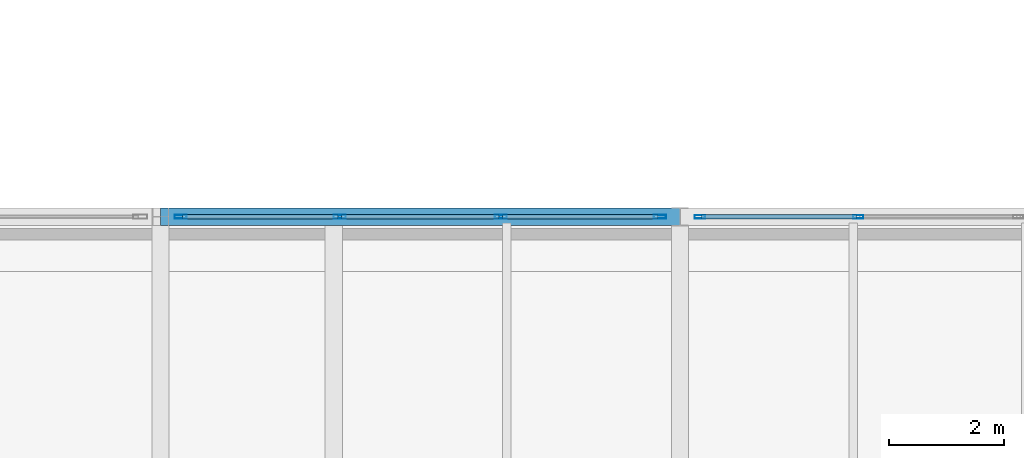
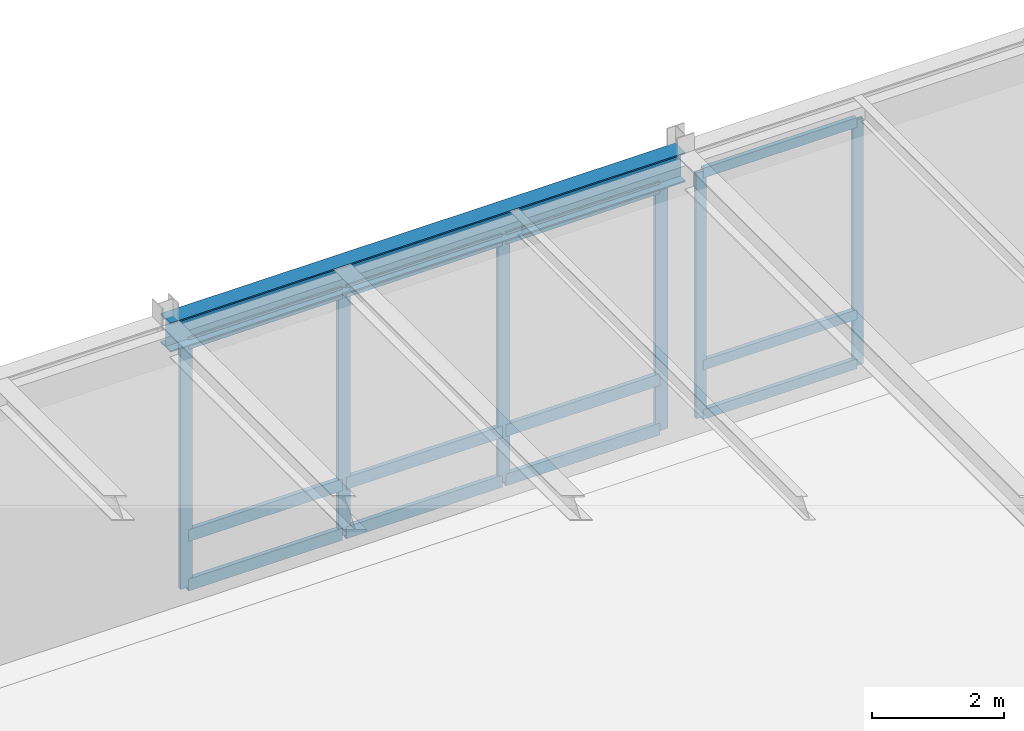
# One storey, part 86 of 143: 18 members, 1 beam, 2 elements without a shape of their own.
"""IFC4 building model written with IfcOpenShell, lengths in metres."""

from ifc_helpers import new_model, si_unit, direction, frame, origin, origin_2d, place, context, subcontext, project, spatial, hollow_rectangle, i_section, extrude, material, layer, layer_set, material_profile, profile_set, type_object, element, aggregate, save


model = new_model("IFC4")

# Units and contexts
model_context = context("Model", 3, precision=1e-05, world=origin(), true_north=direction((0.0, 1.0)))
body_context = subcontext(model_context, "Body", "Model", "MODEL_VIEW")
ifc_project = project(units=[si_unit("LENGTHUNIT", "METRE"), si_unit("AREAUNIT", "SQUARE_METRE"), si_unit("VOLUMEUNIT", "CUBIC_METRE"), si_unit("PLANEANGLEUNIT", "RADIAN"), si_unit("MASSUNIT", "GRAM", prefix="KILO")], contexts=[model_context])

# Site, building, storey
site_placement = place(None, origin())
site = spatial("IfcSite", under=ifc_project, at=site_placement, CompositionType="ELEMENT")
building_placement = place(site_placement, origin())
building = spatial("IfcBuilding", under=site, at=building_placement, Name="Montelvaro Courts of Justice", CompositionType="ELEMENT")
storey_placement = place(building_placement, origin())
storey = spatial("IfcBuildingStorey", under=building, at=storey_placement, Name="L00", CompositionType="ELEMENT", Elevation=0.0)

# Beam
ifc_material_1 = material(Name="Steel S355", Category="steel")
ifc_material_profile_1 = material_profile(ifc_material_1, i_section(OverallWidth=0.300048828125, OverallDepth=0.5400390625, WebThickness=0.012451171875, FlangeThickness=0.02392578125, at=origin_2d()), Name="HEA 550")
ifc_profile_set_1 = profile_set([ifc_material_profile_1], Name="Steel S355")
beam_type = type_object("IfcBeamType", Name="Beam_HEA550", PredefinedType="USERDEFINED", material=ifc_profile_set_1)
beam_placement = place(storey_placement, frame((63.0, 108.0, 4.81005859375), z_axis=(1.0, 0.0, 0.0), x_axis=(0.0, 1.0, 0.0)))
element("IfcBeam", 1, at=beam_placement, inside=storey, type_object=beam_type, Name="Beam B-20 L00", ObjectType="GIRDER", PredefinedType="USERDEFINED", context=body_context, shape_type="SweptSolid", body=[
    extrude(i_section(OverallWidth=0.300048828125, OverallDepth=0.5400390625, WebThickness=0.012451171875, FlangeThickness=0.02392578125, at=origin_2d()), origin(), (0.0, 0.0, 1.0), 9.0),
])

# Curtain wall, members
ifc_material_2 = material(Name="Anodised aluminium EN AW-6063", Category="aluminium")
ifc_layer_1 = layer(ifc_material_2, 0.159912109375)
ifc_layer_set_1 = layer_set([ifc_layer_1], Name="Anodised aluminium EN AW-6063")
curtain_wall_type_1 = type_object("IfcCurtainWallType", Name="CurtainWall_04_832x508", PredefinedType="USERDEFINED", material=ifc_layer_set_1)
curtain_wall_1_placement = place(storey_placement, origin())
curtain_wall_1 = element("IfcCurtainWall", 2, at=curtain_wall_1_placement, inside=storey, type_object=curtain_wall_type_1, Name="Curtain Wall CW-04 (L00)", ObjectType="CURTAIN WALL", PredefinedType="USERDEFINED")
ifc_material_profile_2 = material_profile(ifc_material_2, hollow_rectangle(XDim=0.06005859375, YDim=0.179931640625, WallThickness=0.00439453125, at=origin_2d()), Name="ALU-M 60x180")
ifc_profile_set_2 = profile_set([ifc_material_profile_2], Name="Anodised aluminium EN AW-6063")
member_type_1 = type_object("IfcMemberType", Name="CurtainWall_Mullion_60x180", PredefinedType="MULLION", material=ifc_profile_set_2)
member_1_placement = place(storey_placement, frame((75.08837890625, 108.0, 0.0), z_axis=(0.0, 0.0, 1.0), x_axis=(0.0, -1.0, 0.0)))
member_1 = element("IfcMember", 3, at=member_1_placement, type_object=member_type_1, Name="CW-04 mullion 3", PredefinedType="MULLION", context=body_context, shape_type="SweptSolid", body=[
    extrude(hollow_rectangle(XDim=0.06005859375, YDim=0.179931640625, WallThickness=0.00439453125, at=origin_2d()), origin(), (0.0, 0.0, 1.0), 4.534912109375),
])
member_2_placement = place(storey_placement, frame((72.344970703125, 108.0, 0.0), z_axis=(0.0, 0.0, 1.0), x_axis=(0.0, -1.0, 0.0)))
member_2 = element("IfcMember", 4, at=member_2_placement, type_object=member_type_1, Name="CW-04 mullion 4", PredefinedType="MULLION", context=body_context, shape_type="SweptSolid", body=[
    extrude(hollow_rectangle(XDim=0.06005859375, YDim=0.179931640625, WallThickness=0.00439453125, at=origin_2d()), origin(), (0.0, 0.0, 1.0), 4.534912109375),
])

ifc_layer_2 = layer(ifc_material_2, 0.159912109375)
ifc_layer_set_2 = layer_set([ifc_layer_2], Name="Anodised aluminium EN AW-6063")
curtain_wall_type_2 = type_object("IfcCurtainWallType", Name="CurtainWall_05_837x508", PredefinedType="USERDEFINED", material=ifc_layer_set_2)
curtain_wall_2_placement = place(storey_placement, origin())
curtain_wall_2 = element("IfcCurtainWall", 5, at=curtain_wall_2_placement, inside=storey, type_object=curtain_wall_type_2, Name="Curtain Wall CW-05 (L00)", ObjectType="CURTAIN WALL", PredefinedType="USERDEFINED")
ifc_material_profile_3 = material_profile(ifc_material_2, hollow_rectangle(XDim=0.06494140625, YDim=0.2099609375, WallThickness=0.0048828125, at=origin_2d()), Name="ALU-M 65x210")
ifc_profile_set_3 = profile_set([ifc_material_profile_3], Name="Anodised aluminium EN AW-6063")
member_type_2 = type_object("IfcMemberType", Name="CurtainWall_Mullion_65x210", PredefinedType="MULLION", material=ifc_profile_set_3)
member_3_placement = place(storey_placement, frame((71.652587890625, 108.0, 0.0), z_axis=(0.0, 0.0, 1.0), x_axis=(0.0, -1.0, 0.0)))
member_3 = element("IfcMember", 6, at=member_3_placement, type_object=member_type_2, Name="CW-05 mullion 1", PredefinedType="MULLION", context=body_context, shape_type="SweptSolid", body=[
    extrude(hollow_rectangle(XDim=0.06494140625, YDim=0.2099609375, WallThickness=0.0048828125, at=origin_2d()), origin(), (0.0, 0.0, 1.0), 4.534912109375),
])
member_4_placement = place(storey_placement, frame((68.89501953125, 108.0, 0.0), z_axis=(0.0, 0.0, 1.0), x_axis=(0.0, -1.0, 0.0)))
member_4 = element("IfcMember", 7, at=member_4_placement, type_object=member_type_2, Name="CW-05 mullion 2", PredefinedType="MULLION", context=body_context, shape_type="SweptSolid", body=[
    extrude(hollow_rectangle(XDim=0.06494140625, YDim=0.2099609375, WallThickness=0.0048828125, at=origin_2d()), origin(), (0.0, 0.0, 1.0), 4.534912109375),
])
member_5_placement = place(storey_placement, frame((66.10498046875, 108.0, 0.0), z_axis=(0.0, 0.0, 1.0), x_axis=(0.0, -1.0, 0.0)))
member_5 = element("IfcMember", 8, at=member_5_placement, type_object=member_type_2, Name="CW-05 mullion 3", PredefinedType="MULLION", context=body_context, shape_type="SweptSolid", body=[
    extrude(hollow_rectangle(XDim=0.06494140625, YDim=0.2099609375, WallThickness=0.0048828125, at=origin_2d()), origin(), (0.0, 0.0, 1.0), 4.534912109375),
])
member_6_placement = place(storey_placement, frame((63.347412109375, 108.0, 0.0), z_axis=(0.0, 0.0, 1.0), x_axis=(0.0, -1.0, 0.0)))
member_6 = element("IfcMember", 9, at=member_6_placement, type_object=member_type_2, Name="CW-05 mullion 4", PredefinedType="MULLION", context=body_context, shape_type="SweptSolid", body=[
    extrude(hollow_rectangle(XDim=0.06494140625, YDim=0.2099609375, WallThickness=0.0048828125, at=origin_2d()), origin(), (0.0, 0.0, 1.0), 4.534912109375),
])

# Member
ifc_material_profile_4 = material_profile(ifc_material_2, hollow_rectangle(XDim=0.074951171875, YDim=0.179931640625, WallThickness=0.0048828125, at=origin_2d()), Name="ALU-T 75x180")
ifc_profile_set_4 = profile_set([ifc_material_profile_4], Name="Anodised aluminium EN AW-6063")
member_type_3 = type_object("IfcMemberType", Name="CurtainWall_Transom_75x180", PredefinedType="USERDEFINED", material=ifc_profile_set_4)
member_7_placement = place(storey_placement, frame((75.058349609375, 108.0, 0.03759765625), z_axis=(-1.0, 0.0, 0.0), x_axis=(0.0, -1.0, 0.0)))
member_7 = element("IfcMember", 10, at=member_7_placement, type_object=member_type_3, Name="CW-04 transom 3.1", ObjectType="TRANSOM", PredefinedType="USERDEFINED", context=body_context, shape_type="SweptSolid", body=[
    extrude(hollow_rectangle(XDim=0.074951171875, YDim=0.179931640625, WallThickness=0.0048828125, at=origin_2d()), origin(), (0.0, 0.0, 1.0), 2.683349609375),
])

member_8_placement = place(storey_placement, frame((75.058349609375, 108.0, 0.949951171875), z_axis=(-1.0, 0.0, 0.0), x_axis=(0.0, -1.0, 0.0)))
member_8 = element("IfcMember", 11, at=member_8_placement, type_object=member_type_3, Name="CW-04 transom 3.2", ObjectType="TRANSOM", PredefinedType="USERDEFINED", context=body_context, shape_type="SweptSolid", body=[
    extrude(hollow_rectangle(XDim=0.074951171875, YDim=0.179931640625, WallThickness=0.0048828125, at=origin_2d()), origin(), (0.0, 0.0, 1.0), 2.683349609375),
])

member_9_placement = place(storey_placement, frame((75.058349609375, 108.0, 4.49755859375), z_axis=(-1.0, 0.0, 0.0), x_axis=(0.0, -1.0, 0.0)))
member_9 = element("IfcMember", 12, at=member_9_placement, type_object=member_type_3, Name="CW-04 transom 3.3", ObjectType="TRANSOM", PredefinedType="USERDEFINED", context=body_context, shape_type="SweptSolid", body=[
    extrude(hollow_rectangle(XDim=0.074951171875, YDim=0.179931640625, WallThickness=0.0048828125, at=origin_2d()), origin(), (0.0, 0.0, 1.0), 2.683349609375),
])

aggregate(curtain_wall_1, [member_1, member_2, member_7, member_8, member_9])

ifc_material_profile_5 = material_profile(ifc_material_2, hollow_rectangle(XDim=0.074951171875, YDim=0.219970703125, WallThickness=0.005615234375, at=origin_2d()), Name="ALU-T 75x220")
ifc_profile_set_5 = profile_set([ifc_material_profile_5], Name="Anodised aluminium EN AW-6063")
member_type_4 = type_object("IfcMemberType", Name="CurtainWall_Transom_75x220", PredefinedType="USERDEFINED", material=ifc_profile_set_5)
member_10_placement = place(storey_placement, frame((71.6201171875, 108.0, 0.03759765625), z_axis=(-1.0, 0.0, 0.0), x_axis=(0.0, -1.0, 0.0)))
member_10 = element("IfcMember", 13, at=member_10_placement, type_object=member_type_4, Name="CW-05 transom 1.1", ObjectType="TRANSOM", PredefinedType="USERDEFINED", context=body_context, shape_type="SweptSolid", body=[
    extrude(hollow_rectangle(XDim=0.074951171875, YDim=0.219970703125, WallThickness=0.005615234375, at=origin_2d()), origin(), (0.0, 0.0, 1.0), 2.692626953125),
])

member_11_placement = place(storey_placement, frame((71.6201171875, 108.0, 0.949951171875), z_axis=(-1.0, 0.0, 0.0), x_axis=(0.0, -1.0, 0.0)))
member_11 = element("IfcMember", 14, at=member_11_placement, type_object=member_type_4, Name="CW-05 transom 1.2", ObjectType="TRANSOM", PredefinedType="USERDEFINED", context=body_context, shape_type="SweptSolid", body=[
    extrude(hollow_rectangle(XDim=0.074951171875, YDim=0.219970703125, WallThickness=0.005615234375, at=origin_2d()), origin(), (0.0, 0.0, 1.0), 2.692626953125),
])

member_12_placement = place(storey_placement, frame((71.6201171875, 108.0, 4.49755859375), z_axis=(-1.0, 0.0, 0.0), x_axis=(0.0, -1.0, 0.0)))
member_12 = element("IfcMember", 15, at=member_12_placement, type_object=member_type_4, Name="CW-05 transom 1.3", ObjectType="TRANSOM", PredefinedType="USERDEFINED", context=body_context, shape_type="SweptSolid", body=[
    extrude(hollow_rectangle(XDim=0.074951171875, YDim=0.219970703125, WallThickness=0.005615234375, at=origin_2d()), origin(), (0.0, 0.0, 1.0), 2.692626953125),
])

member_13_placement = place(storey_placement, frame((68.862548828125, 108.0, 0.03759765625), z_axis=(-1.0, 0.0, 0.0), x_axis=(0.0, -1.0, 0.0)))
member_13 = element("IfcMember", 16, at=member_13_placement, type_object=member_type_4, Name="CW-05 transom 2.1", ObjectType="TRANSOM", PredefinedType="USERDEFINED", context=body_context, shape_type="SweptSolid", body=[
    extrude(hollow_rectangle(XDim=0.074951171875, YDim=0.219970703125, WallThickness=0.005615234375, at=origin_2d()), origin(), (0.0, 0.0, 1.0), 2.72509765625),
])

member_14_placement = place(storey_placement, frame((68.862548828125, 108.0, 0.949951171875), z_axis=(-1.0, 0.0, 0.0), x_axis=(0.0, -1.0, 0.0)))
member_14 = element("IfcMember", 17, at=member_14_placement, type_object=member_type_4, Name="CW-05 transom 2.2", ObjectType="TRANSOM", PredefinedType="USERDEFINED", context=body_context, shape_type="SweptSolid", body=[
    extrude(hollow_rectangle(XDim=0.074951171875, YDim=0.219970703125, WallThickness=0.005615234375, at=origin_2d()), origin(), (0.0, 0.0, 1.0), 2.72509765625),
])

member_15_placement = place(storey_placement, frame((68.862548828125, 108.0, 4.49755859375), z_axis=(-1.0, 0.0, 0.0), x_axis=(0.0, -1.0, 0.0)))
member_15 = element("IfcMember", 18, at=member_15_placement, type_object=member_type_4, Name="CW-05 transom 2.3", ObjectType="TRANSOM", PredefinedType="USERDEFINED", context=body_context, shape_type="SweptSolid", body=[
    extrude(hollow_rectangle(XDim=0.074951171875, YDim=0.219970703125, WallThickness=0.005615234375, at=origin_2d()), origin(), (0.0, 0.0, 1.0), 2.72509765625),
])

member_16_placement = place(storey_placement, frame((66.072509765625, 108.0, 0.03759765625), z_axis=(-1.0, 0.0, 0.0), x_axis=(0.0, -1.0, 0.0)))
member_16 = element("IfcMember", 19, at=member_16_placement, type_object=member_type_4, Name="CW-05 transom 3.1", ObjectType="TRANSOM", PredefinedType="USERDEFINED", context=body_context, shape_type="SweptSolid", body=[
    extrude(hollow_rectangle(XDim=0.074951171875, YDim=0.219970703125, WallThickness=0.005615234375, at=origin_2d()), origin(), (0.0, 0.0, 1.0), 2.692626953125),
])

member_17_placement = place(storey_placement, frame((66.072509765625, 108.0, 0.949951171875), z_axis=(-1.0, 0.0, 0.0), x_axis=(0.0, -1.0, 0.0)))
member_17 = element("IfcMember", 20, at=member_17_placement, type_object=member_type_4, Name="CW-05 transom 3.2", ObjectType="TRANSOM", PredefinedType="USERDEFINED", context=body_context, shape_type="SweptSolid", body=[
    extrude(hollow_rectangle(XDim=0.074951171875, YDim=0.219970703125, WallThickness=0.005615234375, at=origin_2d()), origin(), (0.0, 0.0, 1.0), 2.692626953125),
])

member_18_placement = place(storey_placement, frame((66.072509765625, 108.0, 4.49755859375), z_axis=(-1.0, 0.0, 0.0), x_axis=(0.0, -1.0, 0.0)))
member_18 = element("IfcMember", 21, at=member_18_placement, type_object=member_type_4, Name="CW-05 transom 3.3", ObjectType="TRANSOM", PredefinedType="USERDEFINED", context=body_context, shape_type="SweptSolid", body=[
    extrude(hollow_rectangle(XDim=0.074951171875, YDim=0.219970703125, WallThickness=0.005615234375, at=origin_2d()), origin(), (0.0, 0.0, 1.0), 2.692626953125),
])

aggregate(curtain_wall_2, [member_3, member_4, member_5, member_6, member_10, member_11, member_12, member_13, member_14, member_15, member_16, member_17, member_18])

save(model, "model.ifc")
